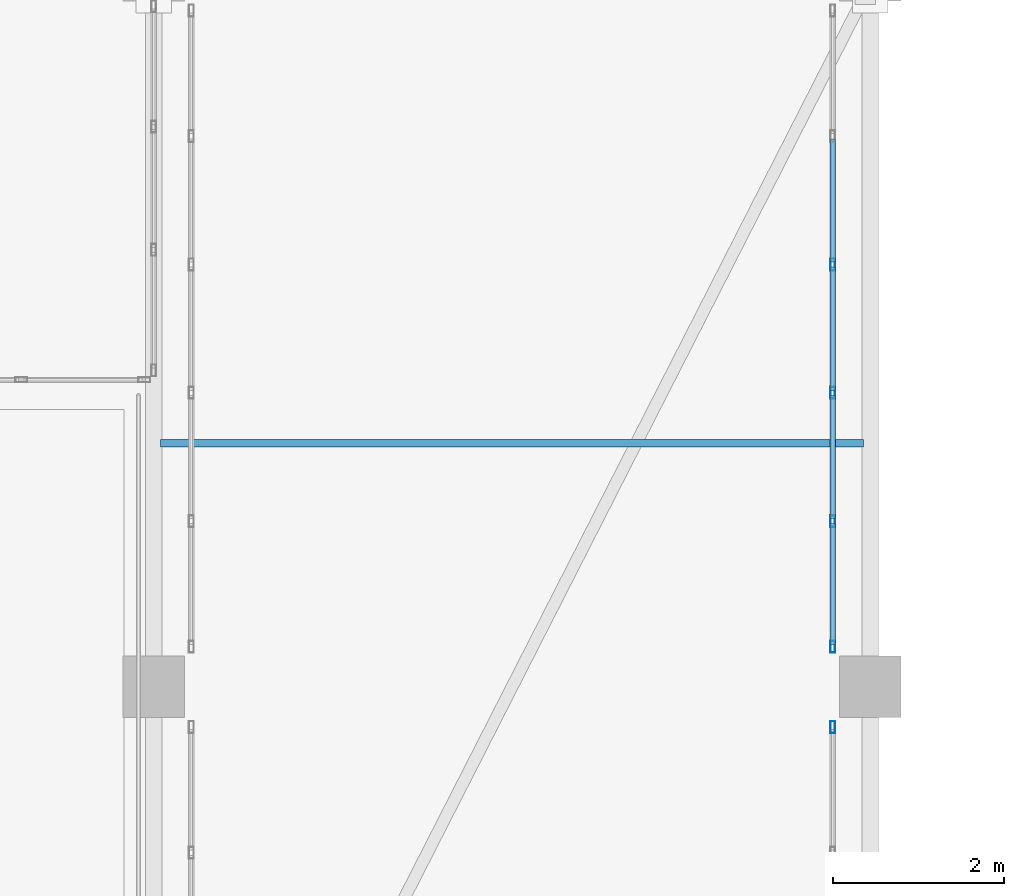
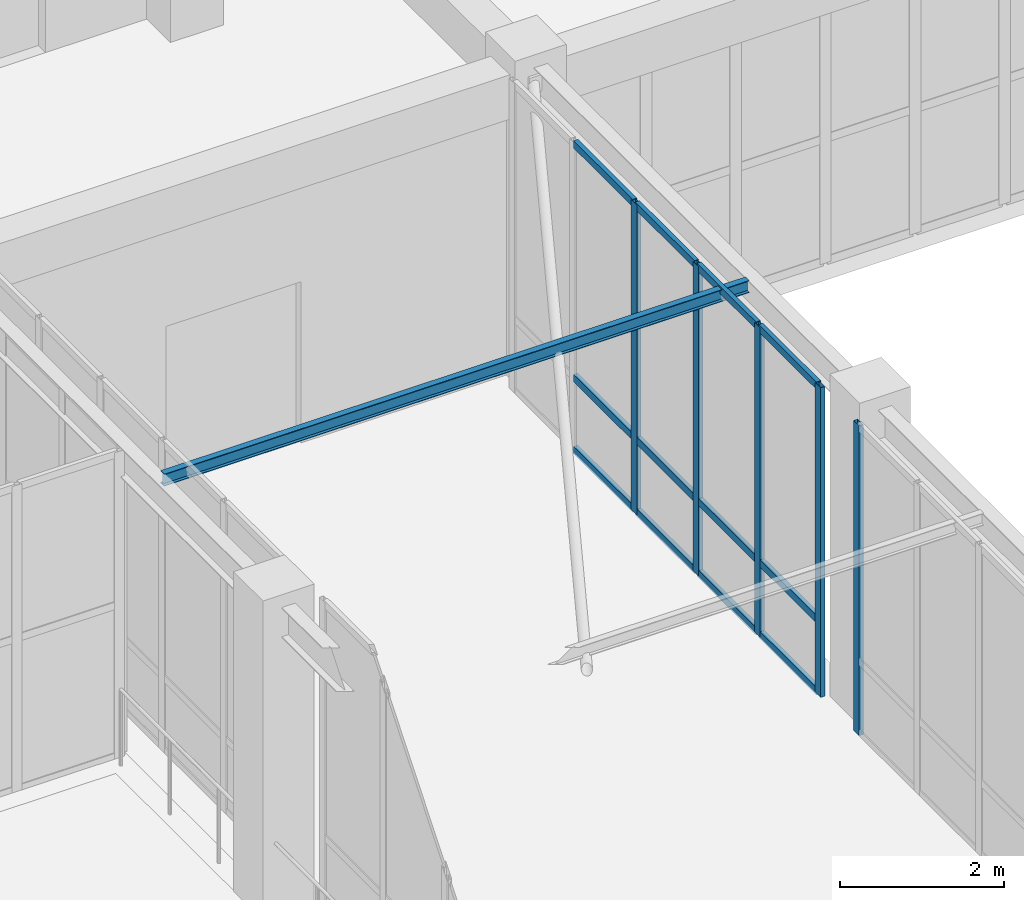
# One storey, part 42 of 158: 17 members, 1 beam, 2 elements without a shape of their own.
"""IFC4 building model written with IfcOpenShell, lengths in metres."""

from ifc_helpers import new_model, si_unit, direction, frame, origin, origin_2d, place, context, subcontext, project, spatial, hollow_rectangle, i_section, extrude, material, layer, layer_set, material_profile, profile_set, type_object, element, aggregate, save


model = new_model("IFC4")

# Units and contexts
model_context = context("Model", 3, precision=1e-05, world=origin(), true_north=direction((0.0, 1.0)))
body_context = subcontext(model_context, "Body", "Model", "MODEL_VIEW")
ifc_project = project(units=[si_unit("LENGTHUNIT", "METRE"), si_unit("AREAUNIT", "SQUARE_METRE"), si_unit("VOLUMEUNIT", "CUBIC_METRE"), si_unit("PLANEANGLEUNIT", "RADIAN"), si_unit("MASSUNIT", "GRAM", prefix="KILO")], contexts=[model_context])

# Site, building, storey
site_placement = place(None, origin())
site = spatial("IfcSite", under=ifc_project, at=site_placement, CompositionType="ELEMENT")
building_placement = place(site_placement, origin())
building = spatial("IfcBuilding", under=site, at=building_placement, Name="Trelvath General Hospital", CompositionType="ELEMENT")
storey_placement = place(building_placement, frame((0.0, 0.0, 8.10009765625)))
storey = spatial("IfcBuildingStorey", under=building, at=storey_placement, Name="L02", CompositionType="ELEMENT", Elevation=8.10009765625)

# Beam
ifc_material_1 = material(Name="Steel S355", Category="steel")
ifc_material_profile_1 = material_profile(ifc_material_1, i_section(OverallWidth=0.091064453125, OverallDepth=0.179931640625, WebThickness=0.00537109375, FlangeThickness=0.008056640625, at=origin_2d()), Name="IPE180")
ifc_profile_set_1 = profile_set([ifc_material_profile_1], Name="Steel S355")
beam_type = type_object("IfcBeamType", Name="BridgeJoist IPE180", PredefinedType="JOIST", material=ifc_profile_set_1)
beam_placement = place(storey_placement, frame((75.679931640625, 36.4560546875, 4.52001953125), z_axis=(1.0, 0.0, 0.0), x_axis=(0.0, 1.0, 0.0)))
element("IfcBeam", 1, at=beam_placement, inside=storey, type_object=beam_type, Name="Bridge Cross Joist BRG-S-C L03", PredefinedType="JOIST", context=body_context, shape_type="SweptSolid", body=[
    extrude(i_section(OverallWidth=0.091064453125, OverallDepth=0.179931640625, WebThickness=0.00537109375, FlangeThickness=0.008056640625, at=origin_2d()), origin(), (0.0, 0.0, 1.0), 8.239990234375),
])

# Curtain wall, member
ifc_material_2 = material(Name="Anodised aluminium and low-E glass", Category="aluminium")
ifc_layer = layer(ifc_material_2, 0.139892578125)
ifc_layer_set = layer_set([ifc_layer], Name="Anodised aluminium and low-E glass")
curtain_wall_type = type_object("IfcCurtainWallType", Name="CW Bridge 752 461", PredefinedType="USERDEFINED", material=ifc_layer_set)
curtain_wall_1_placement = place(storey_placement, origin())
curtain_wall_1 = element("IfcCurtainWall", 2, at=curtain_wall_1_placement, inside=storey, type_object=curtain_wall_type, Name="Glazed Bridge Curtain Wall BRG-S-C E L02", ObjectType="Unitised Glazed Curtain Wall", PredefinedType="USERDEFINED")
ifc_material_3 = material(Name="Anodised aluminium", Category="aluminium")
ifc_material_profile_2 = material_profile(ifc_material_3, hollow_rectangle(XDim=0.06005859375, YDim=0.139892578125, WallThickness=0.00390625, at=origin_2d()), Name="RHS60x140x4")
ifc_profile_set_2 = profile_set([ifc_material_profile_2], Name="Anodised aluminium")
member_type_1 = type_object("IfcMemberType", Name="CurtainMullion 60x140", PredefinedType="MULLION", material=ifc_profile_set_2)
member_1_placement = place(storey_placement, frame((83.56005859375, 33.1298828125, 0.0), z_axis=(0.0, 0.0, 1.0), x_axis=(1.0, 0.0, 0.0)))
member_1 = element("IfcMember", 3, at=member_1_placement, type_object=member_type_1, Name="CW-227 mullion 1", PredefinedType="MULLION", context=body_context, shape_type="SweptSolid", body=[
    extrude(hollow_rectangle(XDim=0.06005859375, YDim=0.139892578125, WallThickness=0.00390625, at=origin_2d()), origin(), (0.0, 0.0, 1.0), 4.60986328125),
])
aggregate(curtain_wall_1, [member_1])

# Curtain wall, members
curtain_wall_2_placement = place(storey_placement, origin())
curtain_wall_2 = element("IfcCurtainWall", 4, at=curtain_wall_2_placement, inside=storey, type_object=curtain_wall_type, Name="Glazed Bridge Curtain Wall BRG-S-C E L02", ObjectType="Unitised Glazed Curtain Wall", PredefinedType="USERDEFINED")
member_2_placement = place(storey_placement, frame((83.56005859375, 38.552001953125, 0.0), z_axis=(0.0, 0.0, 1.0), x_axis=(1.0, 0.0, 0.0)))
member_2 = element("IfcMember", 5, at=member_2_placement, type_object=member_type_1, Name="CW-229 mullion 3", PredefinedType="MULLION", context=body_context, shape_type="SweptSolid", body=[
    extrude(hollow_rectangle(XDim=0.06005859375, YDim=0.139892578125, WallThickness=0.00390625, at=origin_2d()), origin(), (0.0, 0.0, 1.0), 4.60986328125),
])
member_3_placement = place(storey_placement, frame((83.56005859375, 37.048095703125, 0.0), z_axis=(0.0, 0.0, 1.0), x_axis=(1.0, 0.0, 0.0)))
member_3 = element("IfcMember", 6, at=member_3_placement, type_object=member_type_1, Name="CW-229 mullion 4", PredefinedType="MULLION", context=body_context, shape_type="SweptSolid", body=[
    extrude(hollow_rectangle(XDim=0.06005859375, YDim=0.139892578125, WallThickness=0.00390625, at=origin_2d()), origin(), (0.0, 0.0, 1.0), 4.60986328125),
])
member_4_placement = place(storey_placement, frame((83.56005859375, 35.5439453125, 0.0), z_axis=(0.0, 0.0, 1.0), x_axis=(1.0, 0.0, 0.0)))
member_4 = element("IfcMember", 7, at=member_4_placement, type_object=member_type_1, Name="CW-229 mullion 5", PredefinedType="MULLION", context=body_context, shape_type="SweptSolid", body=[
    extrude(hollow_rectangle(XDim=0.06005859375, YDim=0.139892578125, WallThickness=0.00390625, at=origin_2d()), origin(), (0.0, 0.0, 1.0), 4.60986328125),
])
member_5_placement = place(storey_placement, frame((83.56005859375, 34.070068359375, 0.0), z_axis=(0.0, 0.0, 1.0), x_axis=(1.0, 0.0, 0.0)))
member_5 = element("IfcMember", 8, at=member_5_placement, type_object=member_type_1, Name="CW-229 mullion 6", PredefinedType="MULLION", context=body_context, shape_type="SweptSolid", body=[
    extrude(hollow_rectangle(XDim=0.06005859375, YDim=0.139892578125, WallThickness=0.00390625, at=origin_2d()), origin(), (0.0, 0.0, 1.0), 4.60986328125),
])
ifc_material_4 = material(Name="Anodised aluminium", Category="aluminium")
ifc_material_profile_3 = material_profile(ifc_material_4, hollow_rectangle(XDim=0.06005859375, YDim=0.110107421875, WallThickness=0.00390625, at=origin_2d()), Name="RHS60x110x4")
ifc_profile_set_3 = profile_set([ifc_material_profile_3], Name="Anodised aluminium")
member_type_2 = type_object("IfcMemberType", Name="CurtainTransom 60x110", PredefinedType="USERDEFINED", material=ifc_profile_set_3)
member_6_placement = place(storey_placement, frame((83.56005859375, 40.02587890625, 0.02978515625), z_axis=(0.0, -1.0, 0.0), x_axis=(1.0, 0.0, 0.0)))
member_6 = element("IfcMember", 9, at=member_6_placement, type_object=member_type_2, Name="CW-229 transom 2.1", ObjectType="TRANSOM", PredefinedType="USERDEFINED", context=body_context, shape_type="SweptSolid", body=[
    extrude(hollow_rectangle(XDim=0.06005859375, YDim=0.110107421875, WallThickness=0.00390625, at=origin_2d()), origin(), (0.0, 0.0, 1.0), 1.44384765625),
])
member_7_placement = place(storey_placement, frame((83.56005859375, 40.02587890625, 1.099853515625), z_axis=(0.0, -1.0, 0.0), x_axis=(1.0, 0.0, 0.0)))
member_7 = element("IfcMember", 10, at=member_7_placement, type_object=member_type_2, Name="CW-229 transom 2.2", ObjectType="TRANSOM", PredefinedType="USERDEFINED", context=body_context, shape_type="SweptSolid", body=[
    extrude(hollow_rectangle(XDim=0.06005859375, YDim=0.110107421875, WallThickness=0.00390625, at=origin_2d()), origin(), (0.0, 0.0, 1.0), 1.44384765625),
])
member_8_placement = place(storey_placement, frame((83.56005859375, 40.02587890625, 4.579833984375), z_axis=(0.0, -1.0, 0.0), x_axis=(1.0, 0.0, 0.0)))
member_8 = element("IfcMember", 11, at=member_8_placement, type_object=member_type_2, Name="CW-229 transom 2.3", ObjectType="TRANSOM", PredefinedType="USERDEFINED", context=body_context, shape_type="SweptSolid", body=[
    extrude(hollow_rectangle(XDim=0.06005859375, YDim=0.110107421875, WallThickness=0.00390625, at=origin_2d()), origin(), (0.0, 0.0, 1.0), 1.44384765625),
])
member_9_placement = place(storey_placement, frame((83.56005859375, 38.52197265625, 0.02978515625), z_axis=(0.0, -1.0, 0.0), x_axis=(1.0, 0.0, 0.0)))
member_9 = element("IfcMember", 12, at=member_9_placement, type_object=member_type_2, Name="CW-229 transom 3.1", ObjectType="TRANSOM", PredefinedType="USERDEFINED", context=body_context, shape_type="SweptSolid", body=[
    extrude(hollow_rectangle(XDim=0.06005859375, YDim=0.110107421875, WallThickness=0.00390625, at=origin_2d()), origin(), (0.0, 0.0, 1.0), 1.444091796875),
])
member_10_placement = place(storey_placement, frame((83.56005859375, 38.52197265625, 1.099853515625), z_axis=(0.0, -1.0, 0.0), x_axis=(1.0, 0.0, 0.0)))
member_10 = element("IfcMember", 13, at=member_10_placement, type_object=member_type_2, Name="CW-229 transom 3.2", ObjectType="TRANSOM", PredefinedType="USERDEFINED", context=body_context, shape_type="SweptSolid", body=[
    extrude(hollow_rectangle(XDim=0.06005859375, YDim=0.110107421875, WallThickness=0.00390625, at=origin_2d()), origin(), (0.0, 0.0, 1.0), 1.444091796875),
])
member_11_placement = place(storey_placement, frame((83.56005859375, 38.52197265625, 4.579833984375), z_axis=(0.0, -1.0, 0.0), x_axis=(1.0, 0.0, 0.0)))
member_11 = element("IfcMember", 14, at=member_11_placement, type_object=member_type_2, Name="CW-229 transom 3.3", ObjectType="TRANSOM", PredefinedType="USERDEFINED", context=body_context, shape_type="SweptSolid", body=[
    extrude(hollow_rectangle(XDim=0.06005859375, YDim=0.110107421875, WallThickness=0.00390625, at=origin_2d()), origin(), (0.0, 0.0, 1.0), 1.444091796875),
])
member_12_placement = place(storey_placement, frame((83.56005859375, 37.01806640625, 0.02978515625), z_axis=(0.0, -1.0, 0.0), x_axis=(1.0, 0.0, 0.0)))
member_12 = element("IfcMember", 15, at=member_12_placement, type_object=member_type_2, Name="CW-229 transom 4.1", ObjectType="TRANSOM", PredefinedType="USERDEFINED", context=body_context, shape_type="SweptSolid", body=[
    extrude(hollow_rectangle(XDim=0.06005859375, YDim=0.110107421875, WallThickness=0.00390625, at=origin_2d()), origin(), (0.0, 0.0, 1.0), 1.444091796875),
])
member_13_placement = place(storey_placement, frame((83.56005859375, 37.01806640625, 1.099853515625), z_axis=(0.0, -1.0, 0.0), x_axis=(1.0, 0.0, 0.0)))
member_13 = element("IfcMember", 16, at=member_13_placement, type_object=member_type_2, Name="CW-229 transom 4.2", ObjectType="TRANSOM", PredefinedType="USERDEFINED", context=body_context, shape_type="SweptSolid", body=[
    extrude(hollow_rectangle(XDim=0.06005859375, YDim=0.110107421875, WallThickness=0.00390625, at=origin_2d()), origin(), (0.0, 0.0, 1.0), 1.444091796875),
])
member_14_placement = place(storey_placement, frame((83.56005859375, 37.01806640625, 4.579833984375), z_axis=(0.0, -1.0, 0.0), x_axis=(1.0, 0.0, 0.0)))
member_14 = element("IfcMember", 17, at=member_14_placement, type_object=member_type_2, Name="CW-229 transom 4.3", ObjectType="TRANSOM", PredefinedType="USERDEFINED", context=body_context, shape_type="SweptSolid", body=[
    extrude(hollow_rectangle(XDim=0.06005859375, YDim=0.110107421875, WallThickness=0.00390625, at=origin_2d()), origin(), (0.0, 0.0, 1.0), 1.444091796875),
])
member_15_placement = place(storey_placement, frame((83.56005859375, 35.513916015625, 0.02978515625), z_axis=(0.0, -1.0, 0.0), x_axis=(1.0, 0.0, 0.0)))
member_15 = element("IfcMember", 18, at=member_15_placement, type_object=member_type_2, Name="CW-229 transom 5.1", ObjectType="TRANSOM", PredefinedType="USERDEFINED", context=body_context, shape_type="SweptSolid", body=[
    extrude(hollow_rectangle(XDim=0.06005859375, YDim=0.110107421875, WallThickness=0.00390625, at=origin_2d()), origin(), (0.0, 0.0, 1.0), 1.413818359375),
])
member_16_placement = place(storey_placement, frame((83.56005859375, 35.513916015625, 1.099853515625), z_axis=(0.0, -1.0, 0.0), x_axis=(1.0, 0.0, 0.0)))
member_16 = element("IfcMember", 19, at=member_16_placement, type_object=member_type_2, Name="CW-229 transom 5.2", ObjectType="TRANSOM", PredefinedType="USERDEFINED", context=body_context, shape_type="SweptSolid", body=[
    extrude(hollow_rectangle(XDim=0.06005859375, YDim=0.110107421875, WallThickness=0.00390625, at=origin_2d()), origin(), (0.0, 0.0, 1.0), 1.413818359375),
])
member_17_placement = place(storey_placement, frame((83.56005859375, 35.513916015625, 4.579833984375), z_axis=(0.0, -1.0, 0.0), x_axis=(1.0, 0.0, 0.0)))
member_17 = element("IfcMember", 20, at=member_17_placement, type_object=member_type_2, Name="CW-229 transom 5.3", ObjectType="TRANSOM", PredefinedType="USERDEFINED", context=body_context, shape_type="SweptSolid", body=[
    extrude(hollow_rectangle(XDim=0.06005859375, YDim=0.110107421875, WallThickness=0.00390625, at=origin_2d()), origin(), (0.0, 0.0, 1.0), 1.413818359375),
])
aggregate(curtain_wall_2, [member_2, member_3, member_4, member_5, member_6, member_7, member_8, member_9, member_10, member_11, member_12, member_13, member_14, member_15, member_16, member_17])

save(model, "model.ifc")
